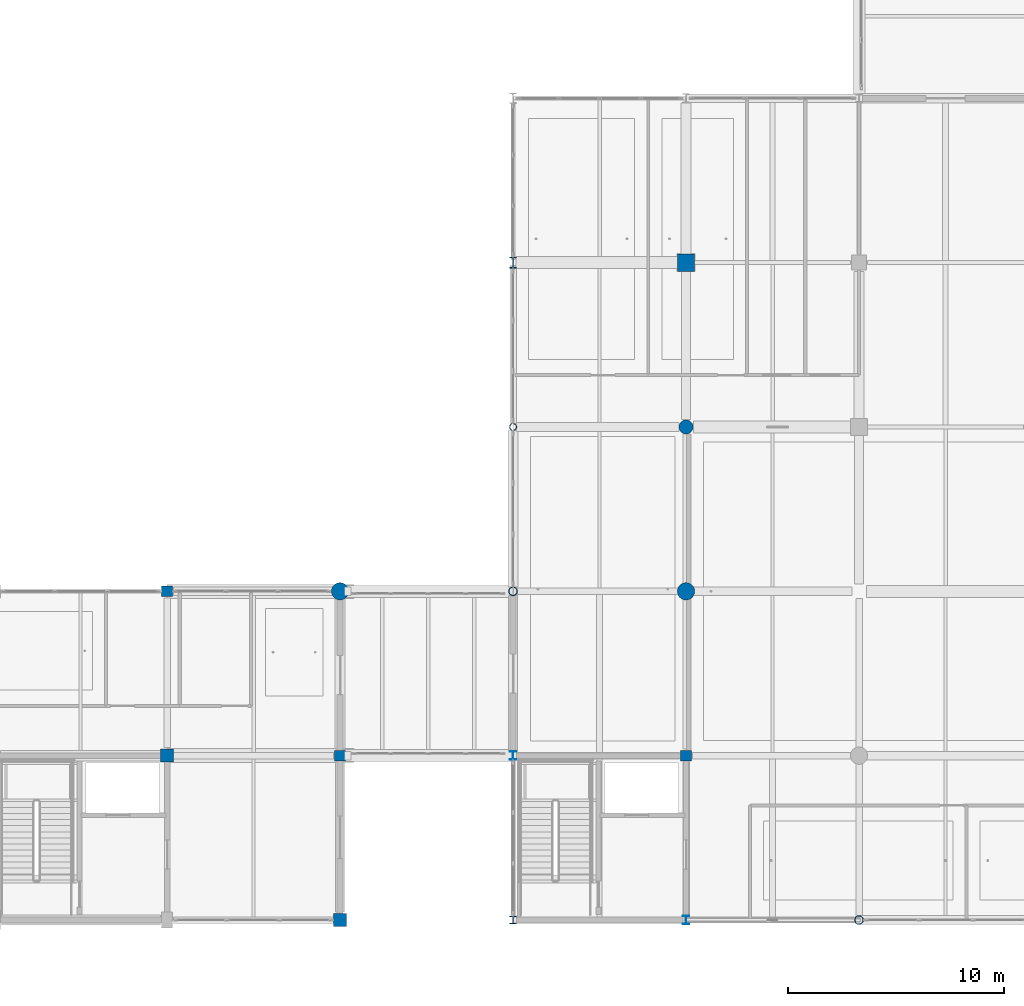
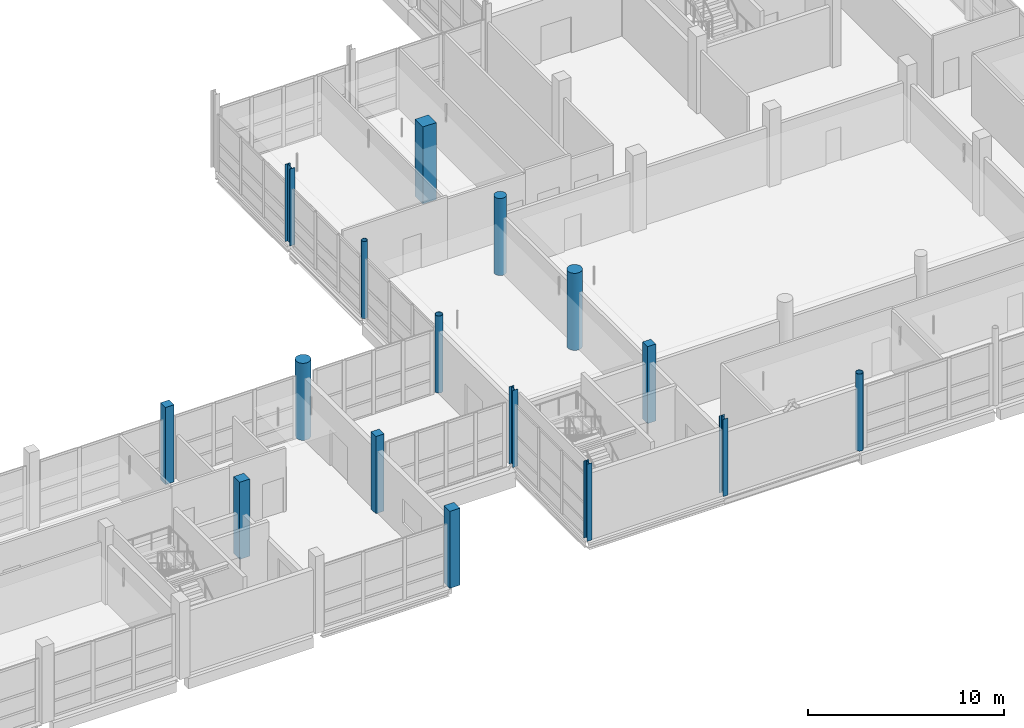
# One storey, part 6 of 141: 16 columns.
"""IFC4 building model written with IfcOpenShell, lengths in metres."""

from ifc_helpers import new_model, si_unit, direction, frame, origin, origin_2d, place, context, subcontext, project, spatial, rectangle, circle, hollow_circle, i_section, extrude, material, material_profile, profile_set, type_object, element, save


model = new_model("IFC4")

# Units and contexts
model_context = context("Model", 3, precision=1e-05, world=origin(), true_north=direction((0.0, 1.0)))
body_context = subcontext(model_context, "Body", "Model", "MODEL_VIEW")
ifc_project = project(units=[si_unit("LENGTHUNIT", "METRE"), si_unit("AREAUNIT", "SQUARE_METRE"), si_unit("VOLUMEUNIT", "CUBIC_METRE"), si_unit("PLANEANGLEUNIT", "RADIAN"), si_unit("MASSUNIT", "GRAM", prefix="KILO")], contexts=[model_context])

# Site, building, storey
site_placement = place(None, origin())
site = spatial("IfcSite", under=ifc_project, at=site_placement, CompositionType="ELEMENT")
building_placement = place(site_placement, origin())
building = spatial("IfcBuilding", under=site, at=building_placement, Name="Khelvaren Railside Concert Hall", CompositionType="ELEMENT")
storey_placement = place(building_placement, frame((0.0, 0.0, 10.199951171875)))
storey = spatial("IfcBuildingStorey", under=building, at=storey_placement, Name="L02", CompositionType="ELEMENT", Elevation=10.199951171875)

# Columns
ifc_material_1 = material(Name="Concrete C45/55", Category="concrete")
ifc_material_profile_1 = material_profile(ifc_material_1, rectangle(XDim=0.60009765625, YDim=0.60009765625, at=origin_2d()), Name="RC 600x600")
ifc_profile_set_1 = profile_set([ifc_material_profile_1], Name="Concrete C45/55")
column_type_1 = type_object("IfcColumnType", Name="COL11", PredefinedType="COLUMN", material=ifc_profile_set_1)
column_1_placement = place(storey_placement, frame((136.0, 0.0, 0.0), z_axis=(0.0, 0.0, 1.0), x_axis=(1.0, 0.0, 0.0)))
element("IfcColumn", 1, at=column_1_placement, inside=storey, type_object=column_type_1, Name="V3 L02 Column (136.0,0.0)", PredefinedType="COLUMN", context=body_context, shape_type="SweptSolid", body=[
    extrude(rectangle(XDim=0.60009765625, YDim=0.60009765625, at=origin_2d()), origin(), (0.0, 0.0, 1.0), 4.800048828125),
])
ifc_material_2 = material(Name="Steel S355", Category="steel")
ifc_material_profile_2 = material_profile(ifc_material_2, i_section(OverallWidth=0.300048828125, OverallDepth=0.360107421875, WebThickness=0.012451171875, FlangeThickness=0.0224609375, FilletRadius=0.027099609375, at=origin_2d()), Name="HEB 360")
ifc_profile_set_2 = profile_set([ifc_material_profile_2], Name="Steel S355")
column_type_2 = type_object("IfcColumnType", Name="COL12", PredefinedType="COLUMN", material=ifc_profile_set_2)
column_2_placement = place(storey_placement, frame((144.0, 0.0, 0.0), z_axis=(0.0, 0.0, 1.0), x_axis=(1.0, 0.0, 0.0)))
element("IfcColumn", 2, at=column_2_placement, inside=storey, type_object=column_type_2, Name="V2 L02 Column (144.0,0.0)", PredefinedType="COLUMN", context=body_context, shape_type="SweptSolid", body=[
    extrude(i_section(OverallWidth=0.300048828125, OverallDepth=0.360107421875, WebThickness=0.012451171875, FlangeThickness=0.0224609375, FilletRadius=0.027099609375, at=origin_2d()), origin(), (0.0, 0.0, 1.0), 4.800048828125),
])
ifc_material_profile_3 = material_profile(ifc_material_1, circle(Radius=0.39990234375, at=origin_2d()), Name="RC D800")
ifc_profile_set_3 = profile_set([ifc_material_profile_3], Name="Concrete C45/55")
column_type_3 = type_object("IfcColumnType", Name="COL14", PredefinedType="COLUMN", material=ifc_profile_set_3)
column_3_placement = place(storey_placement, frame((152.0, 15.199951171875, 0.0), z_axis=(0.0, 0.0, 1.0), x_axis=(1.0, 0.0, 0.0)))
element("IfcColumn", 3, at=column_3_placement, inside=storey, type_object=column_type_3, Name="V2 L02 Column (152.0,15.2)", PredefinedType="COLUMN", context=body_context, shape_type="SweptSolid", body=[
    extrude(circle(Radius=0.39990234375, at=origin_2d()), origin(), (0.0, 0.0, 1.0), 4.800048828125),
])
ifc_material_profile_4 = material_profile(ifc_material_2, i_section(OverallWidth=0.300048828125, OverallDepth=0.5, WebThickness=0.014404296875, FlangeThickness=0.028076171875, FilletRadius=0.027099609375, at=origin_2d()), Name="HEB 500")
ifc_profile_set_4 = profile_set([ifc_material_profile_4], Name="Steel S355")
column_type_4 = type_object("IfcColumnType", Name="COL15", PredefinedType="COLUMN", material=ifc_profile_set_4)
column_4_placement = place(storey_placement, frame((144.0, 30.39990234375, 0.0), z_axis=(0.0, 0.0, 1.0), x_axis=(1.0, 0.0, 0.0)))
element("IfcColumn", 4, at=column_4_placement, inside=storey, type_object=column_type_4, Name="V2 L02 Column (144.0,30.4)", PredefinedType="COLUMN", context=body_context, shape_type="SweptSolid", body=[
    extrude(i_section(OverallWidth=0.300048828125, OverallDepth=0.5, WebThickness=0.014404296875, FlangeThickness=0.028076171875, FilletRadius=0.027099609375, at=origin_2d()), origin(), (0.0, 0.0, 1.0), 4.800048828125),
])
ifc_material_profile_5 = material_profile(ifc_material_1, rectangle(XDim=0.800048828125, YDim=0.800048828125, at=origin_2d()), Name="RC 800x800")
ifc_profile_set_5 = profile_set([ifc_material_profile_5], Name="Concrete C45/55")
column_type_5 = type_object("IfcColumnType", Name="COL20", PredefinedType="COLUMN", material=ifc_profile_set_5)
column_5_placement = place(storey_placement, frame((152.0, 30.39990234375, 0.0), z_axis=(0.0, 0.0, 1.0), x_axis=(1.0, 0.0, 0.0)))
element("IfcColumn", 5, at=column_5_placement, inside=storey, type_object=column_type_5, Name="V2 L02 Column (152.0,30.4)", PredefinedType="COLUMN", context=body_context, shape_type="SweptSolid", body=[
    extrude(rectangle(XDim=0.800048828125, YDim=0.800048828125, at=origin_2d()), origin(), (0.0, 0.0, 1.0), 4.800048828125),
])
ifc_material_profile_6 = material_profile(ifc_material_1, circle(Radius=0.39990234375, at=origin_2d()), Name="RC D800")
ifc_profile_set_6 = profile_set([ifc_material_profile_6], Name="Concrete C45/55")
column_type_6 = type_object("IfcColumnType", Name="COL22", PredefinedType="COLUMN", material=ifc_profile_set_6)
column_6_placement = place(storey_placement, frame((136.0, 15.199951171875, 0.0), z_axis=(0.0, 0.0, 1.0), x_axis=(1.0, 0.0, 0.0)))
element("IfcColumn", 6, at=column_6_placement, inside=storey, type_object=column_type_6, Name="V3 L02 Column (136.0,15.2)", PredefinedType="COLUMN", context=body_context, shape_type="SweptSolid", body=[
    extrude(circle(Radius=0.39990234375, at=origin_2d()), origin(), (0.0, 0.0, 1.0), 4.800048828125),
])
ifc_material_profile_7 = material_profile(ifc_material_2, i_section(OverallWidth=0.300048828125, OverallDepth=0.389892578125, WebThickness=0.010986328125, FlangeThickness=0.01904296875, FilletRadius=0.027099609375, at=origin_2d()), Name="HEA 400")
ifc_profile_set_7 = profile_set([ifc_material_profile_7], Name="Steel S355")
column_type_7 = type_object("IfcColumnType", Name="COL23", PredefinedType="COLUMN", material=ifc_profile_set_7)
for number, where, z_axis, x_axis, name in (
    (7, (144.0, 7.60009765625, 0.0), (0.0, 0.0, 1.0), (1.0, 0.0, 0.0), "V2 L02 Column (144.0,7.6)"),
    (8, (152.0, 0.0, 0.0), (0.0, 0.0, 1.0), (1.0, 0.0, 0.0), "V2 L02 Column (152.0,0.0)"),
):
    element("IfcColumn", number, at=place(storey_placement, frame(where, z_axis=z_axis, x_axis=x_axis)), inside=storey, type_object=column_type_7, Name=name, PredefinedType="COLUMN", context=body_context, shape_type="SweptSolid", body=[
        extrude(i_section(OverallWidth=0.300048828125, OverallDepth=0.389892578125, WebThickness=0.010986328125, FlangeThickness=0.01904296875, FilletRadius=0.027099609375, at=origin_2d()), origin(), (0.0, 0.0, 1.0), 4.800048828125),
    ])
ifc_material_profile_8 = material_profile(ifc_material_2, hollow_circle(Radius=0.203125, WallThickness=0.02001953125, at=origin_2d()), Name="CHS 406.4x20")
ifc_profile_set_8 = profile_set([ifc_material_profile_8], Name="Steel S355")
column_type_8 = type_object("IfcColumnType", Name="COL27", PredefinedType="COLUMN", material=ifc_profile_set_8)
for number, where, z_axis, x_axis, name in (
    (9, (144.0, 15.199951171875, 0.0), (0.0, 0.0, 1.0), (1.0, 0.0, 0.0), "V2 L02 Column (144.0,15.2)"),
    (10, (160.0, 0.0, 0.0), (0.0, 0.0, 1.0), (1.0, 0.0, 0.0), "V2 L02 Column (160.0,0.0)"),
):
    element("IfcColumn", number, at=place(storey_placement, frame(where, z_axis=z_axis, x_axis=x_axis)), inside=storey, type_object=column_type_8, Name=name, PredefinedType="COLUMN", context=body_context, shape_type="SweptSolid", body=[
        extrude(hollow_circle(Radius=0.203125, WallThickness=0.02001953125, at=origin_2d()), origin(), (0.0, 0.0, 1.0), 4.800048828125),
    ])
ifc_material_profile_9 = material_profile(ifc_material_1, rectangle(XDim=0.60009765625, YDim=0.60009765625, at=origin_2d()), Name="RC 600x600")
ifc_profile_set_9 = profile_set([ifc_material_profile_9], Name="Concrete C45/55")
column_type_9 = type_object("IfcColumnType", Name="COL29", PredefinedType="COLUMN", material=ifc_profile_set_9)
column_7_placement = place(storey_placement, frame((128.0, 7.60009765625, 0.0), z_axis=(0.0, 0.0, 1.0), x_axis=(1.0, 0.0, 0.0)))
element("IfcColumn", 11, at=column_7_placement, inside=storey, type_object=column_type_9, Name="V3 L02 Column (128.0,7.6)", PredefinedType="COLUMN", context=body_context, shape_type="SweptSolid", body=[
    extrude(rectangle(XDim=0.60009765625, YDim=0.60009765625, at=origin_2d()), origin(), (0.0, 0.0, 1.0), 4.800048828125),
])
ifc_material_profile_10 = material_profile(ifc_material_1, rectangle(XDim=0.5, YDim=0.5, at=origin_2d()), Name="RC 500x500")
ifc_profile_set_10 = profile_set([ifc_material_profile_10], Name="Concrete C45/55")
column_type_10 = type_object("IfcColumnType", Name="COL35", PredefinedType="COLUMN", material=ifc_profile_set_10)
for number, where, z_axis, x_axis, name in (
    (12, (128.0, 15.199951171875, 0.0), (0.0, 0.0, 1.0), (1.0, 0.0, 0.0), "V3 L02 Column (128.0,15.2)"),
    (13, (136.0, 7.60009765625, 0.0), (0.0, 0.0, 1.0), (1.0, 0.0, 0.0), "V3 L02 Column (136.0,7.6)"),
):
    element("IfcColumn", number, at=place(storey_placement, frame(where, z_axis=z_axis, x_axis=x_axis)), inside=storey, type_object=column_type_10, Name=name, PredefinedType="COLUMN", context=body_context, shape_type="SweptSolid", body=[
        extrude(rectangle(XDim=0.5, YDim=0.5, at=origin_2d()), origin(), (0.0, 0.0, 1.0), 4.800048828125),
    ])
ifc_material_profile_11 = material_profile(ifc_material_2, hollow_circle(Radius=0.161865234375, WallThickness=0.01611328125, at=origin_2d()), Name="CHS 323.9x16")
ifc_profile_set_11 = profile_set([ifc_material_profile_11], Name="Steel S355")
column_type_11 = type_object("IfcColumnType", Name="COL47", PredefinedType="COLUMN", material=ifc_profile_set_11)
column_8_placement = place(storey_placement, frame((144.0, 22.800048828125, 0.0), z_axis=(0.0, 0.0, 1.0), x_axis=(1.0, 0.0, 0.0)))
element("IfcColumn", 14, at=column_8_placement, inside=storey, type_object=column_type_11, Name="V2 L02 Column (144.0,22.8)", PredefinedType="COLUMN", context=body_context, shape_type="SweptSolid", body=[
    extrude(hollow_circle(Radius=0.161865234375, WallThickness=0.01611328125, at=origin_2d()), origin(), (0.0, 0.0, 1.0), 4.800048828125),
])
ifc_material_profile_12 = material_profile(ifc_material_1, rectangle(XDim=0.5, YDim=0.5, at=origin_2d()), Name="RC 500x500")
ifc_profile_set_12 = profile_set([ifc_material_profile_12], Name="Concrete C45/55")
column_type_12 = type_object("IfcColumnType", Name="COL84", PredefinedType="COLUMN", material=ifc_profile_set_12)
column_9_placement = place(storey_placement, frame((152.0, 7.60009765625, 0.0), z_axis=(0.0, 0.0, 1.0), x_axis=(1.0, 0.0, 0.0)))
element("IfcColumn", 15, at=column_9_placement, inside=storey, type_object=column_type_12, Name="V2 L02 Column (152.0,7.6)", PredefinedType="COLUMN", context=body_context, shape_type="SweptSolid", body=[
    extrude(rectangle(XDim=0.5, YDim=0.5, at=origin_2d()), origin(), (0.0, 0.0, 1.0), 4.800048828125),
])
ifc_material_profile_13 = material_profile(ifc_material_1, circle(Radius=0.324951171875, at=origin_2d()), Name="RC D650")
ifc_profile_set_13 = profile_set([ifc_material_profile_13], Name="Concrete C45/55")
column_type_13 = type_object("IfcColumnType", Name="COL94", PredefinedType="COLUMN", material=ifc_profile_set_13)
column_10_placement = place(storey_placement, frame((152.0, 22.800048828125, 0.0), z_axis=(0.0, 0.0, 1.0), x_axis=(1.0, 0.0, 0.0)))
element("IfcColumn", 16, at=column_10_placement, inside=storey, type_object=column_type_13, Name="V2 L02 Column (152.0,22.8)", PredefinedType="COLUMN", context=body_context, shape_type="SweptSolid", body=[
    extrude(circle(Radius=0.324951171875, at=origin_2d()), origin(), (0.0, 0.0, 1.0), 4.800048828125),
])

save(model, "model.ifc")
